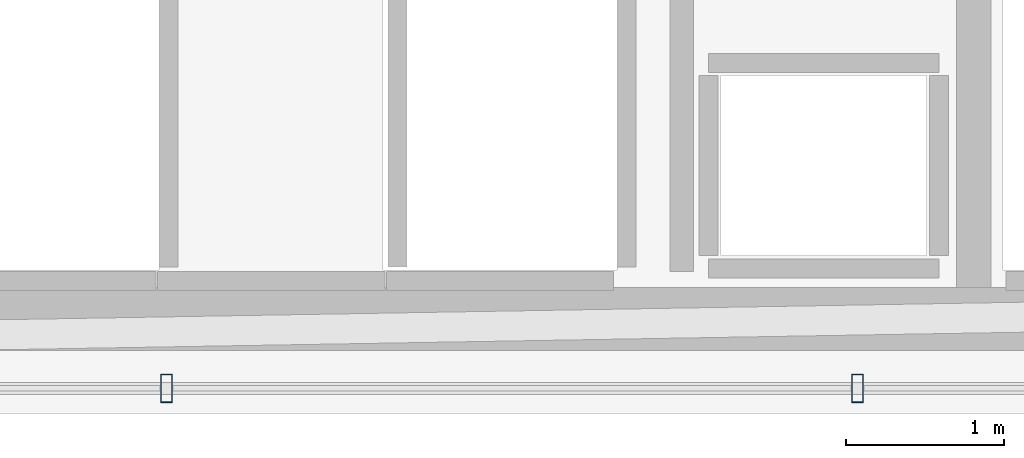
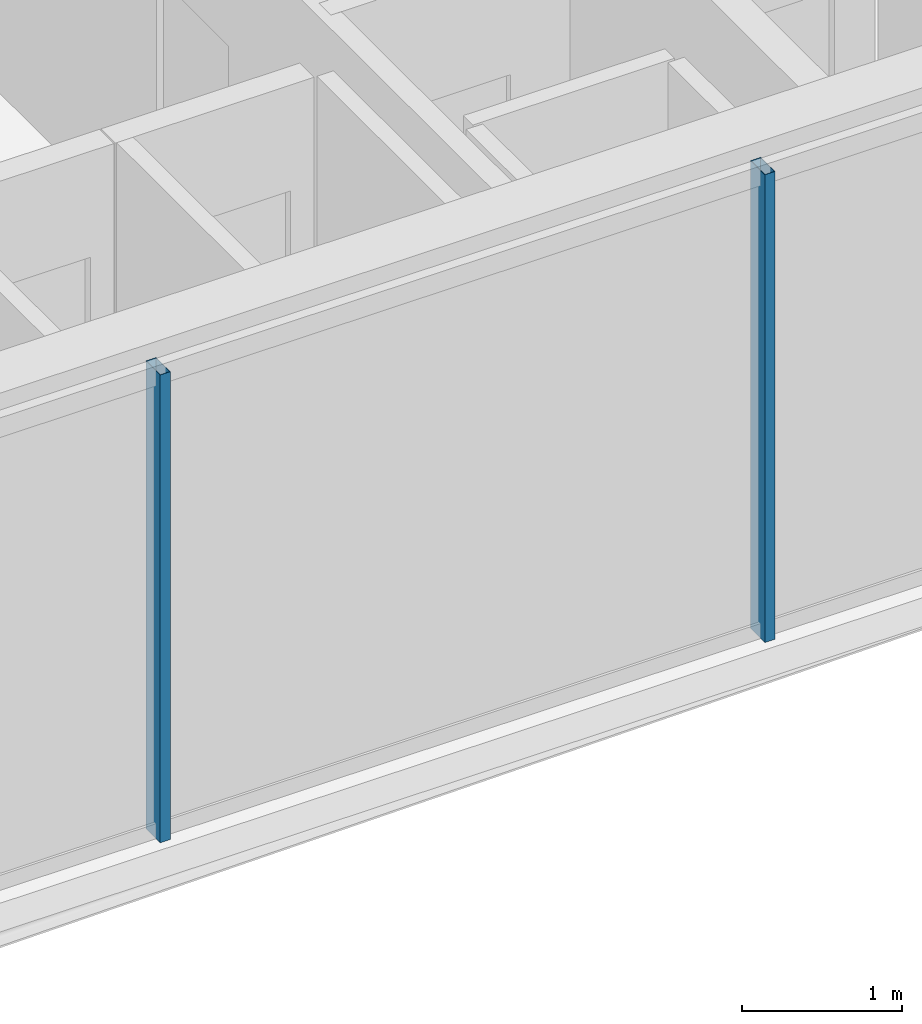
# One storey, part 8 of 29: 2 members, 1 element without a shape of its own.
"""IFC4 building model written with IfcOpenShell, lengths in metres."""

from ifc_helpers import new_model, si_unit, direction, frame, origin, origin_2d, place, context, subcontext, project, spatial, hollow_rectangle, extrude, material, layer, layer_set, material_profile, profile_set, type_object, element, aggregate, save


model = new_model("IFC4")

# Units and contexts
model_context = context("Model", 3, precision=1e-05, world=origin(), true_north=direction((0.0, 1.0)))
body_context = subcontext(model_context, "Body", "Model", "MODEL_VIEW")
ifc_project = project(units=[si_unit("LENGTHUNIT", "METRE"), si_unit("AREAUNIT", "SQUARE_METRE"), si_unit("VOLUMEUNIT", "CUBIC_METRE"), si_unit("PLANEANGLEUNIT", "RADIAN"), si_unit("MASSUNIT", "GRAM", prefix="KILO")], contexts=[model_context])

# Site, building, storey
site_placement = place(None, origin())
site = spatial("IfcSite", under=ifc_project, at=site_placement, CompositionType="ELEMENT")
building_placement = place(site_placement, origin())
building = spatial("IfcBuilding", under=site, at=building_placement, Name="Ndaravel Arena Tower", CompositionType="ELEMENT")
storey_placement = place(building_placement, frame((0.0, 0.0, 244.60009765625)))
storey = spatial("IfcBuildingStorey", under=building, at=storey_placement, Name="L59", CompositionType="ELEMENT", Elevation=244.60009765625)

# Curtain wall, members
ifc_material_1 = material(Name="Aluminium", Category="aluminium")
ifc_layer = layer(ifc_material_1, 0.179931640625)
ifc_layer_set = layer_set([ifc_layer], Name="Aluminium")
curtain_wall_type = type_object("IfcCurtainWallType", Name="CW-SYS-03", PredefinedType="NOTDEFINED", material=ifc_layer_set)
curtain_wall_placement = place(storey_placement, origin())
curtain_wall = element("IfcCurtainWall", 1, at=curtain_wall_placement, inside=storey, type_object=curtain_wall_type, Name="L59 Faceted Crystal Curtain Wall CW-L59-E01", PredefinedType="NOTDEFINED")
ifc_material_2 = material(Name="Aluminium", Category="aluminium")
ifc_material_profile = material_profile(ifc_material_2, hollow_rectangle(XDim=0.074951171875, YDim=0.179931640625, WallThickness=0.00390625, at=origin_2d()), Name="CW MULLION 75x180x4")
ifc_profile_set = profile_set([ifc_material_profile], Name="Aluminium")
member_type = type_object("IfcMemberType", Name="MEM-CW-MUL180", PredefinedType="MULLION", material=ifc_profile_set)
member_1_placement = place(storey_placement, frame((44.18798828125, 5.159912109375, 0.0), z_axis=(0.0, 0.0, 1.0), x_axis=(1.0, 0.0, 0.0)))
member_1 = element("IfcMember", 2, at=member_1_placement, type_object=member_type, Name="CW-L59-E01 Mullion 05", PredefinedType="MULLION", context=body_context, shape_type="SweptSolid", body=[
    extrude(hollow_rectangle(XDim=0.074951171875, YDim=0.179931640625, WallThickness=0.00390625, at=origin_2d()), origin(), (0.0, 0.0, 1.0), 3.579833984375),
])
member_2_placement = place(storey_placement, frame((48.56396484375, 5.159912109375, 0.0), z_axis=(0.0, 0.0, 1.0), x_axis=(1.0, 0.0, 0.0)))
member_2 = element("IfcMember", 3, at=member_2_placement, type_object=member_type, Name="CW-L59-E01 Mullion 06", PredefinedType="MULLION", context=body_context, shape_type="SweptSolid", body=[
    extrude(hollow_rectangle(XDim=0.074951171875, YDim=0.179931640625, WallThickness=0.00390625, at=origin_2d()), origin(), (0.0, 0.0, 1.0), 3.579833984375),
])
aggregate(curtain_wall, [member_1, member_2])

save(model, "model.ifc")
